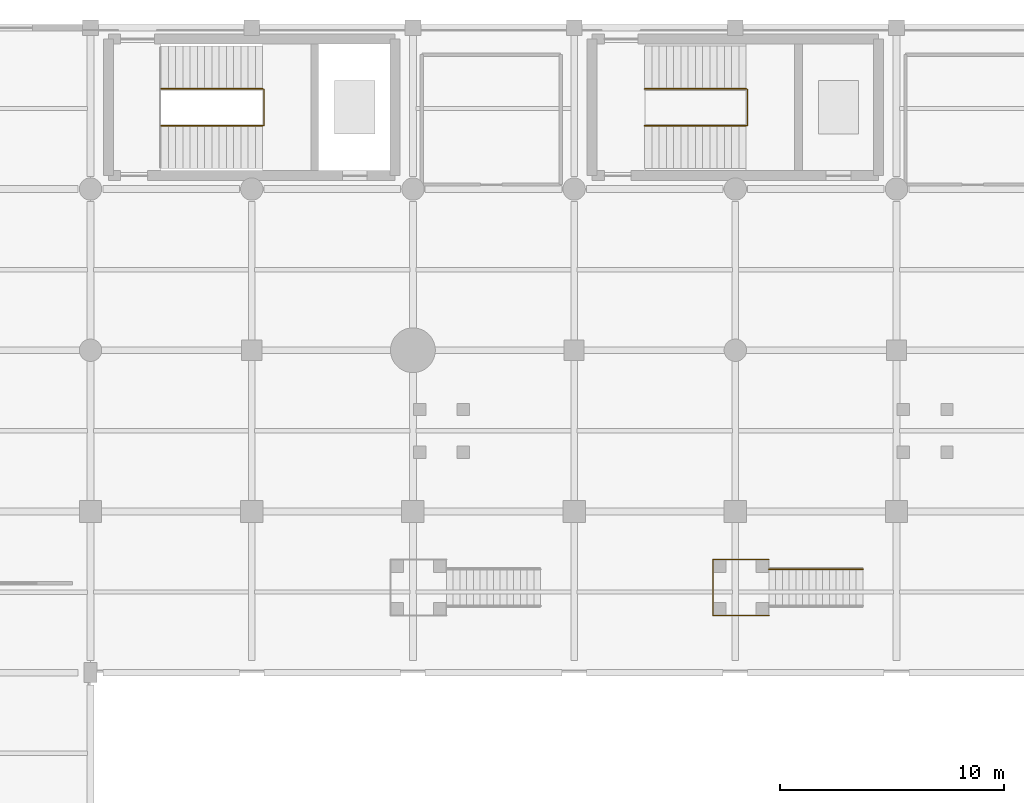
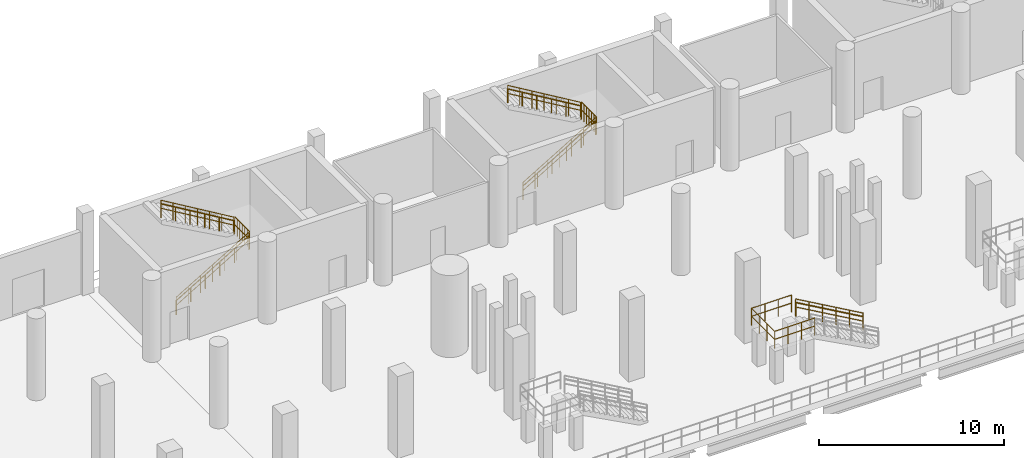
# One storey, part 50 of 58: 13 railings.
"""IFC4 building model written with IfcOpenShell, lengths in metres."""

from ifc_helpers import new_model, si_unit, direction, frame, origin, origin_2d, place, context, subcontext, project, spatial, circle, extrude, material, type_object, element, save


model = new_model("IFC4")

# Units and contexts
model_context = context("Model", 3, precision=1e-05, world=origin(), true_north=direction((0.0, 1.0)))
body_context = subcontext(model_context, "Body", "Model", "MODEL_VIEW")
ifc_project = project(units=[si_unit("LENGTHUNIT", "METRE"), si_unit("AREAUNIT", "SQUARE_METRE"), si_unit("VOLUMEUNIT", "CUBIC_METRE"), si_unit("PLANEANGLEUNIT", "RADIAN"), si_unit("MASSUNIT", "GRAM", prefix="KILO")], contexts=[model_context])

# Site, building, storey
site_placement = place(None, origin())
site = spatial("IfcSite", under=ifc_project, at=site_placement, CompositionType="ELEMENT")
building_placement = place(site_placement, origin())
building = spatial("IfcBuilding", under=site, at=building_placement, Name="Qandorah Velis Arena", CompositionType="ELEMENT")
storey_placement = place(building_placement, origin())
storey = spatial("IfcBuildingStorey", under=building, at=storey_placement, Name="L00", CompositionType="ELEMENT", Elevation=0.0)

# Railings
ifc_material = material(Name="Stainless steel 316", Category="steel")
railing_type_1 = type_object("IfcRailingType", Name="ARC-RL-GRD1150", PredefinedType="GUARDRAIL", material=ifc_material)
railing_1_placement = place(storey_placement, frame((36.5458984375, 125.239990234375, 2.699951171875)))
element("IfcRailing", 1, at=railing_1_placement, inside=storey, type_object=railing_type_1, Name="Stair ST3 well guardrail (L00)", PredefinedType="GUARDRAIL", context=body_context, shape_type="SweptSolid", body=[
    extrude(circle(Radius=0.02392578125, at=origin_2d()), frame((0.0, 0.0, 1.1259765625), z_axis=(0.0, 1.0, 0.0), x_axis=(-1.0, 0.0, 0.0)), (0.0, 0.0, 1.0), 1.6201171875),
    extrude(circle(Radius=0.02392578125, at=origin_2d()), frame((0.0, 0.0, 0.597900390625), z_axis=(0.0, 1.0, 0.0), x_axis=(-1.0, 0.0, 0.0)), (0.0, 0.0, 1.0), 1.6201171875),
    extrude(circle(Radius=0.02099609375, at=origin_2d()), origin(), (0.0, 0.0, 1.0), 1.101806640625),
    extrude(circle(Radius=0.02099609375, at=origin_2d()), frame((0.0, 0.27001953125, 0.0)), (0.0, 0.0, 1.0), 1.101806640625),
    extrude(circle(Radius=0.02099609375, at=origin_2d()), frame((0.0, 0.5400390625, 0.0)), (0.0, 0.0, 1.0), 1.101806640625),
    extrude(circle(Radius=0.02099609375, at=origin_2d()), frame((0.0, 0.81005859375, 0.0)), (0.0, 0.0, 1.0), 1.101806640625),
    extrude(circle(Radius=0.02099609375, at=origin_2d()), frame((0.0, 1.080078125, 0.0)), (0.0, 0.0, 1.0), 1.101806640625),
    extrude(circle(Radius=0.02099609375, at=origin_2d()), frame((0.0, 1.35009765625, 0.0)), (0.0, 0.0, 1.0), 1.101806640625),
    extrude(circle(Radius=0.02099609375, at=origin_2d()), frame((0.0, 1.6201171875, 0.0)), (0.0, 0.0, 1.0), 1.101806640625),
])
railing_2_placement = place(storey_placement, frame((31.949951171875, 125.22998046875, 0.0)))
element("IfcRailing", 2, at=railing_2_placement, inside=storey, type_object=railing_type_1, Name="Stair ST3 inner flight 1 guardrail (L00)", PredefinedType="GUARDRAIL", context=body_context, shape_type="SweptSolid", body=[
    extrude(circle(Radius=0.02392578125, at=origin_2d()), frame((0.0, 0.0, 1.1259765625), z_axis=(0.859303531718, 0.0, 0.511465971866), x_axis=(0.0, 1.0, 0.0)), (0.0, 0.0, 1.0), 5.27880859375),
    extrude(circle(Radius=0.02392578125, at=origin_2d()), frame((0.0, 0.0, 0.597900390625), z_axis=(0.859303531718, 0.0, 0.511465971866), x_axis=(0.0, 1.0, 0.0)), (0.0, 0.0, 1.0), 5.27880859375),
    extrude(circle(Radius=0.02099609375, at=origin_2d()), origin(), (0.0, 0.0, 1.0), 1.101806640625),
    extrude(circle(Radius=0.02099609375, at=origin_2d()), frame((0.756103515625, 0.0, 0.449951171875)), (0.0, 0.0, 1.0), 1.101806640625),
    extrude(circle(Radius=0.02099609375, at=origin_2d()), frame((1.511962890625, 0.0, 0.89990234375)), (0.0, 0.0, 1.0), 1.101806640625),
    extrude(circle(Radius=0.02099609375, at=origin_2d()), frame((2.26806640625, 0.0, 1.35009765625)), (0.0, 0.0, 1.0), 1.101806640625),
    extrude(circle(Radius=0.02099609375, at=origin_2d()), frame((3.024169921875, 0.0, 1.800048828125)), (0.0, 0.0, 1.0), 1.101806640625),
    extrude(circle(Radius=0.02099609375, at=origin_2d()), frame((3.780029296875, 0.0, 2.25)), (0.0, 0.0, 1.0), 1.101806640625),
    extrude(circle(Radius=0.02099609375, at=origin_2d()), frame((4.5361328125, 0.0, 2.699951171875)), (0.0, 0.0, 1.0), 1.101806640625),
])
railing_3_placement = place(storey_placement, frame((36.486083984375, 126.8701171875, 2.699951171875)))
element("IfcRailing", 3, at=railing_3_placement, inside=storey, type_object=railing_type_1, Name="Stair ST3 inner flight 2 guardrail (L00)", PredefinedType="GUARDRAIL", context=body_context, shape_type="SweptSolid", body=[
    extrude(circle(Radius=0.02392578125, at=origin_2d()), frame((0.0, 0.0, 1.1259765625), z_axis=(-0.859303531718, 0.0, 0.511465971866), x_axis=(0.0, -1.0, 0.0)), (0.0, 0.0, 1.0), 5.27880859375),
    extrude(circle(Radius=0.02392578125, at=origin_2d()), frame((0.0, 0.0, 0.597900390625), z_axis=(-0.859303531718, 0.0, 0.511465971866), x_axis=(0.0, -1.0, 0.0)), (0.0, 0.0, 1.0), 5.27880859375),
    extrude(circle(Radius=0.02099609375, at=origin_2d()), origin(), (0.0, 0.0, 1.0), 1.101806640625),
    extrude(circle(Radius=0.02099609375, at=origin_2d()), frame((-0.756103515625, 0.0, 0.449951171875)), (0.0, 0.0, 1.0), 1.101806640625),
    extrude(circle(Radius=0.02099609375, at=origin_2d()), frame((-1.511962890625, 0.0, 0.89990234375)), (0.0, 0.0, 1.0), 1.101806640625),
    extrude(circle(Radius=0.02099609375, at=origin_2d()), frame((-2.26806640625, 0.0, 1.35009765625)), (0.0, 0.0, 1.0), 1.101806640625),
    extrude(circle(Radius=0.02099609375, at=origin_2d()), frame((-3.024169921875, 0.0, 1.800048828125)), (0.0, 0.0, 1.0), 1.101806640625),
    extrude(circle(Radius=0.02099609375, at=origin_2d()), frame((-3.780029296875, 0.0, 2.25)), (0.0, 0.0, 1.0), 1.101806640625),
    extrude(circle(Radius=0.02099609375, at=origin_2d()), frame((-4.5361328125, 0.0, 2.699951171875)), (0.0, 0.0, 1.0), 1.101806640625),
])
railing_4_placement = place(storey_placement, frame((58.14599609375, 125.239990234375, 2.699951171875)))
element("IfcRailing", 4, at=railing_4_placement, inside=storey, type_object=railing_type_1, Name="Stair ST10 well guardrail (L00)", PredefinedType="GUARDRAIL", context=body_context, shape_type="SweptSolid", body=[
    extrude(circle(Radius=0.02392578125, at=origin_2d()), frame((0.0, 0.0, 1.1259765625), z_axis=(0.0, 1.0, 0.0), x_axis=(-1.0, 0.0, 0.0)), (0.0, 0.0, 1.0), 1.6201171875),
    extrude(circle(Radius=0.02392578125, at=origin_2d()), frame((0.0, 0.0, 0.597900390625), z_axis=(0.0, 1.0, 0.0), x_axis=(-1.0, 0.0, 0.0)), (0.0, 0.0, 1.0), 1.6201171875),
    extrude(circle(Radius=0.02099609375, at=origin_2d()), origin(), (0.0, 0.0, 1.0), 1.101806640625),
    extrude(circle(Radius=0.02099609375, at=origin_2d()), frame((0.0, 0.27001953125, 0.0)), (0.0, 0.0, 1.0), 1.101806640625),
    extrude(circle(Radius=0.02099609375, at=origin_2d()), frame((0.0, 0.5400390625, 0.0)), (0.0, 0.0, 1.0), 1.101806640625),
    extrude(circle(Radius=0.02099609375, at=origin_2d()), frame((0.0, 0.81005859375, 0.0)), (0.0, 0.0, 1.0), 1.101806640625),
    extrude(circle(Radius=0.02099609375, at=origin_2d()), frame((0.0, 1.080078125, 0.0)), (0.0, 0.0, 1.0), 1.101806640625),
    extrude(circle(Radius=0.02099609375, at=origin_2d()), frame((0.0, 1.35009765625, 0.0)), (0.0, 0.0, 1.0), 1.101806640625),
    extrude(circle(Radius=0.02099609375, at=origin_2d()), frame((0.0, 1.6201171875, 0.0)), (0.0, 0.0, 1.0), 1.101806640625),
])
railing_5_placement = place(storey_placement, frame((53.550048828125, 125.22998046875, 0.0)))
element("IfcRailing", 5, at=railing_5_placement, inside=storey, type_object=railing_type_1, Name="Stair ST10 inner flight 1 guardrail (L00)", PredefinedType="GUARDRAIL", context=body_context, shape_type="SweptSolid", body=[
    extrude(circle(Radius=0.02392578125, at=origin_2d()), frame((0.0, 0.0, 1.1259765625), z_axis=(0.859291432417, 0.0, 0.511486299107), x_axis=(0.0, 1.0, 0.0)), (0.0, 0.0, 1.0), 5.278564453125),
    extrude(circle(Radius=0.02392578125, at=origin_2d()), frame((0.0, 0.0, 0.597900390625), z_axis=(0.859291432417, 0.0, 0.511486299107), x_axis=(0.0, 1.0, 0.0)), (0.0, 0.0, 1.0), 5.278564453125),
    extrude(circle(Radius=0.02099609375, at=origin_2d()), origin(), (0.0, 0.0, 1.0), 1.101806640625),
    extrude(circle(Radius=0.02099609375, at=origin_2d()), frame((0.755859375, 0.0, 0.449951171875)), (0.0, 0.0, 1.0), 1.101806640625),
    extrude(circle(Radius=0.02099609375, at=origin_2d()), frame((1.511962890625, 0.0, 0.89990234375)), (0.0, 0.0, 1.0), 1.101806640625),
    extrude(circle(Radius=0.02099609375, at=origin_2d()), frame((2.26806640625, 0.0, 1.35009765625)), (0.0, 0.0, 1.0), 1.101806640625),
    extrude(circle(Radius=0.02099609375, at=origin_2d()), frame((3.02392578125, 0.0, 1.800048828125)), (0.0, 0.0, 1.0), 1.101806640625),
    extrude(circle(Radius=0.02099609375, at=origin_2d()), frame((3.77978515625, 0.0, 2.25)), (0.0, 0.0, 1.0), 1.101806640625),
    extrude(circle(Radius=0.02099609375, at=origin_2d()), frame((4.535888671875, 0.0, 2.699951171875)), (0.0, 0.0, 1.0), 1.101806640625),
])
railing_6_placement = place(storey_placement, frame((58.0859375, 126.8701171875, 2.699951171875)))
element("IfcRailing", 6, at=railing_6_placement, inside=storey, type_object=railing_type_1, Name="Stair ST10 inner flight 2 guardrail (L00)", PredefinedType="GUARDRAIL", context=body_context, shape_type="SweptSolid", body=[
    extrude(circle(Radius=0.02392578125, at=origin_2d()), frame((0.0, 0.0, 1.1259765625), z_axis=(-0.859291432417, 0.0, 0.511486299107), x_axis=(0.0, -1.0, 0.0)), (0.0, 0.0, 1.0), 5.278564453125),
    extrude(circle(Radius=0.02392578125, at=origin_2d()), frame((0.0, 0.0, 0.597900390625), z_axis=(-0.859291432417, 0.0, 0.511486299107), x_axis=(0.0, -1.0, 0.0)), (0.0, 0.0, 1.0), 5.278564453125),
    extrude(circle(Radius=0.02099609375, at=origin_2d()), origin(), (0.0, 0.0, 1.0), 1.101806640625),
    extrude(circle(Radius=0.02099609375, at=origin_2d()), frame((-0.755859375, 0.0, 0.449951171875)), (0.0, 0.0, 1.0), 1.101806640625),
    extrude(circle(Radius=0.02099609375, at=origin_2d()), frame((-1.511962890625, 0.0, 0.89990234375)), (0.0, 0.0, 1.0), 1.101806640625),
    extrude(circle(Radius=0.02099609375, at=origin_2d()), frame((-2.26806640625, 0.0, 1.35009765625)), (0.0, 0.0, 1.0), 1.101806640625),
    extrude(circle(Radius=0.02099609375, at=origin_2d()), frame((-3.02392578125, 0.0, 1.800048828125)), (0.0, 0.0, 1.0), 1.101806640625),
    extrude(circle(Radius=0.02099609375, at=origin_2d()), frame((-3.77978515625, 0.0, 2.25)), (0.0, 0.0, 1.0), 1.101806640625),
    extrude(circle(Radius=0.02099609375, at=origin_2d()), frame((-4.535888671875, 0.0, 2.699951171875)), (0.0, 0.0, 1.0), 1.101806640625),
])
railing_7_placement = place(storey_placement, frame((63.300048828125, 105.419921875, 0.0)))
element("IfcRailing", 7, at=railing_7_placement, inside=storey, type_object=railing_type_1, Name="Vomitory VS5 right guard (L00)", PredefinedType="GUARDRAIL", context=body_context, shape_type="SweptSolid", body=[
    extrude(circle(Radius=0.02392578125, at=origin_2d()), frame((0.0, 0.0, 1.1259765625), z_axis=(-0.868249353848, 0.0, 0.496128067682), x_axis=(0.0, -1.0, 0.0)), (0.0, 0.0, 1.0), 4.837158203125),
    extrude(circle(Radius=0.02392578125, at=origin_2d()), frame((0.0, 0.0, 0.597900390625), z_axis=(-0.868249353848, 0.0, 0.496128067682), x_axis=(0.0, -1.0, 0.0)), (0.0, 0.0, 1.0), 4.837158203125),
    extrude(circle(Radius=0.02099609375, at=origin_2d()), origin(), (0.0, 0.0, 1.0), 1.101806640625),
    extrude(circle(Radius=0.02099609375, at=origin_2d()), frame((-0.840087890625, 0.0, 0.47998046875)), (0.0, 0.0, 1.0), 1.101806640625),
    extrude(circle(Radius=0.02099609375, at=origin_2d()), frame((-1.679931640625, 0.0, 0.9599609375)), (0.0, 0.0, 1.0), 1.101806640625),
    extrude(circle(Radius=0.02099609375, at=origin_2d()), frame((-2.52001953125, 0.0, 1.43994140625)), (0.0, 0.0, 1.0), 1.101806640625),
    extrude(circle(Radius=0.02099609375, at=origin_2d()), frame((-3.35986328125, 0.0, 1.919921875)), (0.0, 0.0, 1.0), 1.101806640625),
    extrude(circle(Radius=0.02099609375, at=origin_2d()), frame((-4.199951171875, 0.0, 2.39990234375)), (0.0, 0.0, 1.0), 1.101806640625),
])
railing_8_placement = place(storey_placement, frame((59.10009765625, 105.85009765625, 2.39990234375)))
element("IfcRailing", 8, at=railing_8_placement, inside=storey, type_object=railing_type_1, Name="Vomitory VS5 landing guardrail (L00)", PredefinedType="GUARDRAIL", context=body_context, shape_type="SweptSolid", body=[
    extrude(circle(Radius=0.02392578125, at=origin_2d()), frame((0.0, 0.0, 1.1259765625), z_axis=(-1.0, 0.0, 0.0), x_axis=(0.0, -1.0, 0.0)), (0.0, 0.0, 1.0), 2.5),
    extrude(circle(Radius=0.02392578125, at=origin_2d()), frame((0.0, 0.0, 0.597900390625), z_axis=(-1.0, 0.0, 0.0), x_axis=(0.0, -1.0, 0.0)), (0.0, 0.0, 1.0), 2.5),
    extrude(circle(Radius=0.02392578125, at=origin_2d()), frame((-2.5, 0.0, 1.1259765625), z_axis=(0.0, -1.0, 0.0), x_axis=(1.0, 0.0, 0.0)), (0.0, 0.0, 1.0), 2.5),
    extrude(circle(Radius=0.02392578125, at=origin_2d()), frame((-2.5, 0.0, 0.597900390625), z_axis=(0.0, -1.0, 0.0), x_axis=(1.0, 0.0, 0.0)), (0.0, 0.0, 1.0), 2.5),
    extrude(circle(Radius=0.02392578125, at=origin_2d()), frame((-2.5, -2.5, 1.1259765625), z_axis=(1.0, 0.0, 0.0), x_axis=(0.0, 1.0, 0.0)), (0.0, 0.0, 1.0), 2.5),
    extrude(circle(Radius=0.02392578125, at=origin_2d()), frame((-2.5, -2.5, 0.597900390625), z_axis=(1.0, 0.0, 0.0), x_axis=(0.0, 1.0, 0.0)), (0.0, 0.0, 1.0), 2.5),
    extrude(circle(Radius=0.02099609375, at=origin_2d()), origin(), (0.0, 0.0, 1.0), 1.101806640625),
    extrude(circle(Radius=0.02099609375, at=origin_2d()), frame((-0.833251953125, 0.0, 0.0)), (0.0, 0.0, 1.0), 1.101806640625),
    extrude(circle(Radius=0.02099609375, at=origin_2d()), frame((-1.666748046875, 0.0, 0.0)), (0.0, 0.0, 1.0), 1.101806640625),
    extrude(circle(Radius=0.02099609375, at=origin_2d()), frame((-2.5, 0.0, 0.0)), (0.0, 0.0, 1.0), 1.101806640625),
    extrude(circle(Radius=0.02099609375, at=origin_2d()), frame((-2.5, -0.833251953125, 0.0)), (0.0, 0.0, 1.0), 1.101806640625),
    extrude(circle(Radius=0.02099609375, at=origin_2d()), frame((-2.5, -1.666748046875, 0.0)), (0.0, 0.0, 1.0), 1.101806640625),
    extrude(circle(Radius=0.02099609375, at=origin_2d()), frame((-2.5, -2.5, 0.0)), (0.0, 0.0, 1.0), 1.101806640625),
    extrude(circle(Radius=0.02099609375, at=origin_2d()), frame((-1.666748046875, -2.5, 0.0)), (0.0, 0.0, 1.0), 1.101806640625),
    extrude(circle(Radius=0.02099609375, at=origin_2d()), frame((-0.833251953125, -2.5, 0.0)), (0.0, 0.0, 1.0), 1.101806640625),
    extrude(circle(Radius=0.02099609375, at=origin_2d()), frame((0.0, -2.5, 0.0)), (0.0, 0.0, 1.0), 1.101806640625),
])
railing_type_2 = type_object("IfcRailingType", Name="ARC-RL-HND920", PredefinedType="HANDRAIL", material=ifc_material)
railing_9_placement = place(storey_placement, frame((31.949951171875, 125.22998046875, 0.0)))
element("IfcRailing", 9, at=railing_9_placement, inside=storey, type_object=railing_type_2, Name="Stair ST3 inner handrail 1 (L00)", PredefinedType="HANDRAIL", context=body_context, shape_type="SweptSolid", body=[
    extrude(circle(Radius=0.02392578125, at=origin_2d()), frame((0.0, 0.0, 0.89599609375), z_axis=(0.859303531718, 0.0, 0.511465971866), x_axis=(0.0, 1.0, 0.0)), (0.0, 0.0, 1.0), 5.27880859375),
    extrude(circle(Radius=0.02099609375, at=origin_2d()), origin(), (0.0, 0.0, 1.0), 0.871826171875),
    extrude(circle(Radius=0.02099609375, at=origin_2d()), frame((0.9072265625, 0.0, 0.5400390625)), (0.0, 0.0, 1.0), 0.871826171875),
    extrude(circle(Radius=0.02099609375, at=origin_2d()), frame((1.814453125, 0.0, 1.080078125)), (0.0, 0.0, 1.0), 0.871826171875),
    extrude(circle(Radius=0.02099609375, at=origin_2d()), frame((2.7216796875, 0.0, 1.619873046875)), (0.0, 0.0, 1.0), 0.871826171875),
    extrude(circle(Radius=0.02099609375, at=origin_2d()), frame((3.62890625, 0.0, 2.159912109375)), (0.0, 0.0, 1.0), 0.871826171875),
    extrude(circle(Radius=0.02099609375, at=origin_2d()), frame((4.5361328125, 0.0, 2.699951171875)), (0.0, 0.0, 1.0), 0.871826171875),
])
railing_10_placement = place(storey_placement, frame((36.486083984375, 126.8701171875, 2.699951171875)))
element("IfcRailing", 10, at=railing_10_placement, inside=storey, type_object=railing_type_2, Name="Stair ST3 inner handrail 2 (L00)", PredefinedType="HANDRAIL", context=body_context, shape_type="SweptSolid", body=[
    extrude(circle(Radius=0.02392578125, at=origin_2d()), frame((0.0, 0.0, 0.89599609375), z_axis=(-0.859303531718, 0.0, 0.511465971866), x_axis=(0.0, -1.0, 0.0)), (0.0, 0.0, 1.0), 5.27880859375),
    extrude(circle(Radius=0.02099609375, at=origin_2d()), origin(), (0.0, 0.0, 1.0), 0.871826171875),
    extrude(circle(Radius=0.02099609375, at=origin_2d()), frame((-0.9072265625, 0.0, 0.5400390625)), (0.0, 0.0, 1.0), 0.871826171875),
    extrude(circle(Radius=0.02099609375, at=origin_2d()), frame((-1.814453125, 0.0, 1.080078125)), (0.0, 0.0, 1.0), 0.871826171875),
    extrude(circle(Radius=0.02099609375, at=origin_2d()), frame((-2.7216796875, 0.0, 1.619873046875)), (0.0, 0.0, 1.0), 0.871826171875),
    extrude(circle(Radius=0.02099609375, at=origin_2d()), frame((-3.62890625, 0.0, 2.159912109375)), (0.0, 0.0, 1.0), 0.871826171875),
    extrude(circle(Radius=0.02099609375, at=origin_2d()), frame((-4.5361328125, 0.0, 2.699951171875)), (0.0, 0.0, 1.0), 0.871826171875),
])
railing_11_placement = place(storey_placement, frame((53.550048828125, 125.22998046875, 0.0)))
element("IfcRailing", 11, at=railing_11_placement, inside=storey, type_object=railing_type_2, Name="Stair ST10 inner handrail 1 (L00)", PredefinedType="HANDRAIL", context=body_context, shape_type="SweptSolid", body=[
    extrude(circle(Radius=0.02392578125, at=origin_2d()), frame((0.0, 0.0, 0.89599609375), z_axis=(0.859291432417, 0.0, 0.511486299107), x_axis=(0.0, 1.0, 0.0)), (0.0, 0.0, 1.0), 5.278564453125),
    extrude(circle(Radius=0.02099609375, at=origin_2d()), origin(), (0.0, 0.0, 1.0), 0.871826171875),
    extrude(circle(Radius=0.02099609375, at=origin_2d()), frame((0.9072265625, 0.0, 0.5400390625)), (0.0, 0.0, 1.0), 0.871826171875),
    extrude(circle(Radius=0.02099609375, at=origin_2d()), frame((1.814453125, 0.0, 1.080078125)), (0.0, 0.0, 1.0), 0.871826171875),
    extrude(circle(Radius=0.02099609375, at=origin_2d()), frame((2.721435546875, 0.0, 1.619873046875)), (0.0, 0.0, 1.0), 0.871826171875),
    extrude(circle(Radius=0.02099609375, at=origin_2d()), frame((3.628662109375, 0.0, 2.159912109375)), (0.0, 0.0, 1.0), 0.871826171875),
    extrude(circle(Radius=0.02099609375, at=origin_2d()), frame((4.535888671875, 0.0, 2.699951171875)), (0.0, 0.0, 1.0), 0.871826171875),
])
railing_12_placement = place(storey_placement, frame((58.0859375, 126.8701171875, 2.699951171875)))
element("IfcRailing", 12, at=railing_12_placement, inside=storey, type_object=railing_type_2, Name="Stair ST10 inner handrail 2 (L00)", PredefinedType="HANDRAIL", context=body_context, shape_type="SweptSolid", body=[
    extrude(circle(Radius=0.02392578125, at=origin_2d()), frame((0.0, 0.0, 0.89599609375), z_axis=(-0.859291432417, 0.0, 0.511486299107), x_axis=(0.0, -1.0, 0.0)), (0.0, 0.0, 1.0), 5.278564453125),
    extrude(circle(Radius=0.02099609375, at=origin_2d()), origin(), (0.0, 0.0, 1.0), 0.871826171875),
    extrude(circle(Radius=0.02099609375, at=origin_2d()), frame((-0.9072265625, 0.0, 0.5400390625)), (0.0, 0.0, 1.0), 0.871826171875),
    extrude(circle(Radius=0.02099609375, at=origin_2d()), frame((-1.814453125, 0.0, 1.080078125)), (0.0, 0.0, 1.0), 0.871826171875),
    extrude(circle(Radius=0.02099609375, at=origin_2d()), frame((-2.721435546875, 0.0, 1.619873046875)), (0.0, 0.0, 1.0), 0.871826171875),
    extrude(circle(Radius=0.02099609375, at=origin_2d()), frame((-3.628662109375, 0.0, 2.159912109375)), (0.0, 0.0, 1.0), 0.871826171875),
    extrude(circle(Radius=0.02099609375, at=origin_2d()), frame((-4.535888671875, 0.0, 2.699951171875)), (0.0, 0.0, 1.0), 0.871826171875),
])
railing_13_placement = place(storey_placement, frame((63.300048828125, 105.419921875, 0.0)))
element("IfcRailing", 13, at=railing_13_placement, inside=storey, type_object=railing_type_2, Name="Vomitory VS5 right handrail", PredefinedType="HANDRAIL", context=body_context, shape_type="SweptSolid", body=[
    extrude(circle(Radius=0.02392578125, at=origin_2d()), frame((0.0, 0.0, 0.89599609375), z_axis=(-0.868249353848, 0.0, 0.496128067682), x_axis=(0.0, -1.0, 0.0)), (0.0, 0.0, 1.0), 4.837158203125),
    extrude(circle(Radius=0.02099609375, at=origin_2d()), origin(), (0.0, 0.0, 1.0), 0.871826171875),
    extrude(circle(Radius=0.02099609375, at=origin_2d()), frame((-0.840087890625, 0.0, 0.47998046875)), (0.0, 0.0, 1.0), 0.871826171875),
    extrude(circle(Radius=0.02099609375, at=origin_2d()), frame((-1.679931640625, 0.0, 0.9599609375)), (0.0, 0.0, 1.0), 0.871826171875),
    extrude(circle(Radius=0.02099609375, at=origin_2d()), frame((-2.52001953125, 0.0, 1.43994140625)), (0.0, 0.0, 1.0), 0.871826171875),
    extrude(circle(Radius=0.02099609375, at=origin_2d()), frame((-3.35986328125, 0.0, 1.919921875)), (0.0, 0.0, 1.0), 0.871826171875),
    extrude(circle(Radius=0.02099609375, at=origin_2d()), frame((-4.199951171875, 0.0, 2.39990234375)), (0.0, 0.0, 1.0), 0.871826171875),
])

save(model, "model.ifc")
